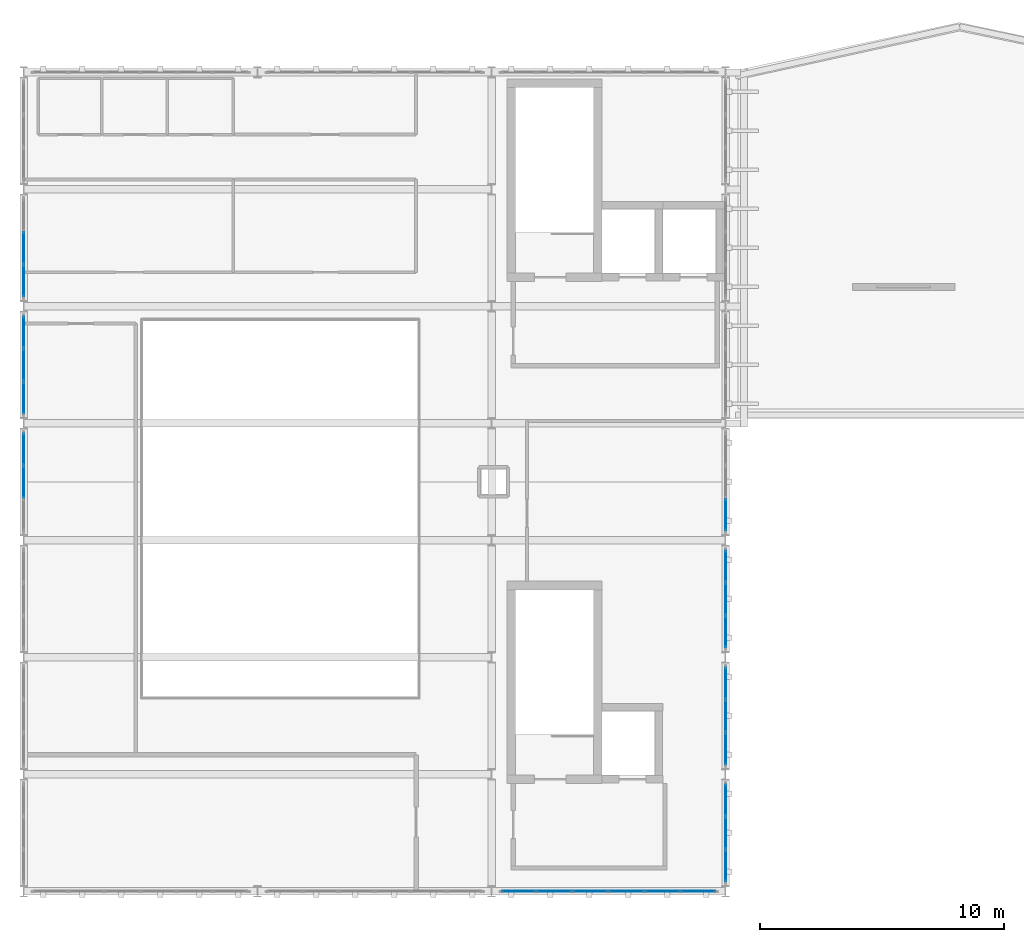
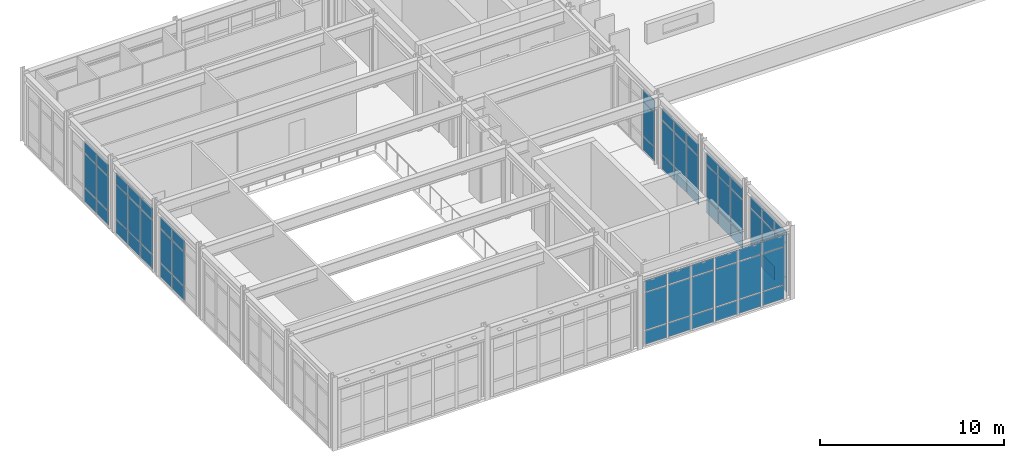
# One storey, part 11 of 16: 69 plates, 8 elements without a shape of their own.
"""IFC4 building model written with IfcOpenShell, lengths in metres."""

from ifc_helpers import new_model, si_unit, direction, frame, origin, origin_2d, place, context, subcontext, project, spatial, rectangle, extrude, material, layer, layer_set, type_object, element, aggregate, save


model = new_model("IFC4")

# Units and contexts
model_context = context("Model", 3, precision=1e-05, world=origin(), true_north=direction((0.0, 1.0)))
body_context = subcontext(model_context, "Body", "Model", "MODEL_VIEW")
ifc_project = project(units=[si_unit("LENGTHUNIT", "METRE"), si_unit("AREAUNIT", "SQUARE_METRE"), si_unit("VOLUMEUNIT", "CUBIC_METRE"), si_unit("PLANEANGLEUNIT", "RADIAN"), si_unit("MASSUNIT", "GRAM", prefix="KILO")], contexts=[model_context])

# Site, building, storey
site_placement = place(None, origin())
site = spatial("IfcSite", under=ifc_project, at=site_placement, CompositionType="ELEMENT")
building_placement = place(site_placement, origin())
building = spatial("IfcBuilding", under=site, at=building_placement, Name="Nordkorset Police Headquarters", CompositionType="ELEMENT")
storey_placement = place(building_placement, frame((0.0, 0.0, 31.14990234375)))
storey = spatial("IfcBuildingStorey", under=building, at=storey_placement, Name="L07", CompositionType="ELEMENT", Elevation=31.14990234375)

# Curtain wall, plates
ifc_material_1 = material(Name="Aluminium alloy AW-6060", Category="aluminium")
ifc_layer_1 = layer(ifc_material_1, 0.179931640625, Name="Aluminium alloy AW-6060")
ifc_layer_set_1 = layer_set([ifc_layer_1], Name="Aluminium alloy AW-6060")
curtain_wall_type_1 = type_object("IfcCurtainWallType", Name="CW_Unit_408x415", PredefinedType="USERDEFINED", material=ifc_layer_set_1)
curtain_wall_1_placement = place(storey_placement, origin())
curtain_wall_1 = element("IfcCurtainWall", 1, at=curtain_wall_1_placement, inside=storey, type_object=curtain_wall_type_1, Name="Unitised Curtain Wall L07 V1W-3", ObjectType="UNITISED CURTAIN WALL", PredefinedType="USERDEFINED")
ifc_material_2 = material(Name="Low-iron triple glazing", Category="glass")
ifc_layer_2 = layer(ifc_material_2, 0.035888671875, Name="Low-iron triple glazing")
ifc_layer_set_2 = layer_set([ifc_layer_2], Name="Low-iron triple glazing")
plate_type = type_object("IfcPlateType", Name="CW_Panel_TripleGlazing_36", PredefinedType="CURTAIN_PANEL", material=ifc_layer_set_2)
plate_1_placement = place(storey_placement, frame((0.0, 100.0, 0.06494140625), z_axis=(0.0, 0.0, 1.0), x_axis=(0.0, 1.0, 0.0)))
plate_1 = element("IfcPlate", 2, at=plate_1_placement, type_object=plate_type, Name="CW-101 panel 2.1", PredefinedType="CURTAIN_PANEL", context=body_context, shape_type="SweptSolid", body=[
    extrude(rectangle(XDim=1.294921875, YDim=0.035888671875, at=origin_2d()), origin(), (0.0, 0.0, 1.0), 0.902587890625),
])
plate_2_placement = place(storey_placement, frame((0.0, 100.0, 1.03271484375), z_axis=(0.0, 0.0, 1.0), x_axis=(0.0, 1.0, 0.0)))
plate_2 = element("IfcPlate", 3, at=plate_2_placement, type_object=plate_type, Name="CW-101 panel 2.2", PredefinedType="CURTAIN_PANEL", context=body_context, shape_type="SweptSolid", body=[
    extrude(rectangle(XDim=1.294921875, YDim=0.035888671875, at=origin_2d()), origin(), (0.0, 0.0, 1.0), 2.235107421875),
])
plate_3_placement = place(storey_placement, frame((0.0, 100.0, 3.33251953125), z_axis=(0.0, 0.0, 1.0), x_axis=(0.0, 1.0, 0.0)))
plate_3 = element("IfcPlate", 4, at=plate_3_placement, type_object=plate_type, Name="CW-101 panel 2.3", PredefinedType="CURTAIN_PANEL", context=body_context, shape_type="SweptSolid", body=[
    extrude(rectangle(XDim=1.294921875, YDim=0.035888671875, at=origin_2d()), origin(), (0.0, 0.0, 1.0), 0.75244140625),
])
plate_4_placement = place(storey_placement, frame((0.0, 101.34375, 0.06494140625), z_axis=(0.0, 0.0, 1.0), x_axis=(0.0, 1.0, 0.0)))
plate_4 = element("IfcPlate", 5, at=plate_4_placement, type_object=plate_type, Name="CW-101 panel 3.1", PredefinedType="CURTAIN_PANEL", context=body_context, shape_type="SweptSolid", body=[
    extrude(rectangle(XDim=1.262451171875, YDim=0.035888671875, at=origin_2d()), origin(), (0.0, 0.0, 1.0), 0.902587890625),
])
plate_5_placement = place(storey_placement, frame((0.0, 101.34375, 1.03271484375), z_axis=(0.0, 0.0, 1.0), x_axis=(0.0, 1.0, 0.0)))
plate_5 = element("IfcPlate", 6, at=plate_5_placement, type_object=plate_type, Name="CW-101 panel 3.2", PredefinedType="CURTAIN_PANEL", context=body_context, shape_type="SweptSolid", body=[
    extrude(rectangle(XDim=1.262451171875, YDim=0.035888671875, at=origin_2d()), origin(), (0.0, 0.0, 1.0), 2.235107421875),
])
plate_6_placement = place(storey_placement, frame((0.0, 101.34375, 3.33251953125), z_axis=(0.0, 0.0, 1.0), x_axis=(0.0, 1.0, 0.0)))
plate_6 = element("IfcPlate", 7, at=plate_6_placement, type_object=plate_type, Name="CW-101 panel 3.3", PredefinedType="CURTAIN_PANEL", context=body_context, shape_type="SweptSolid", body=[
    extrude(rectangle(XDim=1.262451171875, YDim=0.035888671875, at=origin_2d()), origin(), (0.0, 0.0, 1.0), 0.75244140625),
])
aggregate(curtain_wall_1, [plate_1, plate_2, plate_3, plate_4, plate_5, plate_6])

curtain_wall_2_placement = place(storey_placement, origin())
curtain_wall_2 = element("IfcCurtainWall", 8, at=curtain_wall_2_placement, inside=storey, type_object=curtain_wall_type_1, Name="Unitised Curtain Wall L07 V1W-4", ObjectType="UNITISED CURTAIN WALL", PredefinedType="USERDEFINED")
plate_7_placement = place(storey_placement, frame((0.0, 103.456298828125, 0.06494140625), z_axis=(0.0, 0.0, 1.0), x_axis=(0.0, 1.0, 0.0)))
plate_7 = element("IfcPlate", 9, at=plate_7_placement, type_object=plate_type, Name="CW-101 panel 1.1", PredefinedType="CURTAIN_PANEL", context=body_context, shape_type="SweptSolid", body=[
    extrude(rectangle(XDim=1.262451171875, YDim=0.035888671875, at=origin_2d()), origin(), (0.0, 0.0, 1.0), 0.902587890625),
])
plate_8_placement = place(storey_placement, frame((0.0, 103.456298828125, 1.03271484375), z_axis=(0.0, 0.0, 1.0), x_axis=(0.0, 1.0, 0.0)))
plate_8 = element("IfcPlate", 10, at=plate_8_placement, type_object=plate_type, Name="CW-101 panel 1.2", PredefinedType="CURTAIN_PANEL", context=body_context, shape_type="SweptSolid", body=[
    extrude(rectangle(XDim=1.262451171875, YDim=0.035888671875, at=origin_2d()), origin(), (0.0, 0.0, 1.0), 2.235107421875),
])
plate_9_placement = place(storey_placement, frame((0.0, 103.456298828125, 3.33251953125), z_axis=(0.0, 0.0, 1.0), x_axis=(0.0, 1.0, 0.0)))
plate_9 = element("IfcPlate", 11, at=plate_9_placement, type_object=plate_type, Name="CW-101 panel 1.3", PredefinedType="CURTAIN_PANEL", context=body_context, shape_type="SweptSolid", body=[
    extrude(rectangle(XDim=1.262451171875, YDim=0.035888671875, at=origin_2d()), origin(), (0.0, 0.0, 1.0), 0.75244140625),
])
plate_10_placement = place(storey_placement, frame((0.0, 104.800048828125, 0.06494140625), z_axis=(0.0, 0.0, 1.0), x_axis=(0.0, 1.0, 0.0)))
plate_10 = element("IfcPlate", 12, at=plate_10_placement, type_object=plate_type, Name="CW-101 panel 2.1", PredefinedType="CURTAIN_PANEL", context=body_context, shape_type="SweptSolid", body=[
    extrude(rectangle(XDim=1.294921875, YDim=0.035888671875, at=origin_2d()), origin(), (0.0, 0.0, 1.0), 0.902587890625),
])
plate_11_placement = place(storey_placement, frame((0.0, 104.800048828125, 1.03271484375), z_axis=(0.0, 0.0, 1.0), x_axis=(0.0, 1.0, 0.0)))
plate_11 = element("IfcPlate", 13, at=plate_11_placement, type_object=plate_type, Name="CW-101 panel 2.2", PredefinedType="CURTAIN_PANEL", context=body_context, shape_type="SweptSolid", body=[
    extrude(rectangle(XDim=1.294921875, YDim=0.035888671875, at=origin_2d()), origin(), (0.0, 0.0, 1.0), 2.235107421875),
])
plate_12_placement = place(storey_placement, frame((0.0, 104.800048828125, 3.33251953125), z_axis=(0.0, 0.0, 1.0), x_axis=(0.0, 1.0, 0.0)))
plate_12 = element("IfcPlate", 14, at=plate_12_placement, type_object=plate_type, Name="CW-101 panel 2.3", PredefinedType="CURTAIN_PANEL", context=body_context, shape_type="SweptSolid", body=[
    extrude(rectangle(XDim=1.294921875, YDim=0.035888671875, at=origin_2d()), origin(), (0.0, 0.0, 1.0), 0.75244140625),
])
plate_13_placement = place(storey_placement, frame((0.0, 106.143798828125, 0.06494140625), z_axis=(0.0, 0.0, 1.0), x_axis=(0.0, 1.0, 0.0)))
plate_13 = element("IfcPlate", 15, at=plate_13_placement, type_object=plate_type, Name="CW-101 panel 3.1", PredefinedType="CURTAIN_PANEL", context=body_context, shape_type="SweptSolid", body=[
    extrude(rectangle(XDim=1.262451171875, YDim=0.035888671875, at=origin_2d()), origin(), (0.0, 0.0, 1.0), 0.902587890625),
])
plate_14_placement = place(storey_placement, frame((0.0, 106.143798828125, 1.03271484375), z_axis=(0.0, 0.0, 1.0), x_axis=(0.0, 1.0, 0.0)))
plate_14 = element("IfcPlate", 16, at=plate_14_placement, type_object=plate_type, Name="CW-101 panel 3.2", PredefinedType="CURTAIN_PANEL", context=body_context, shape_type="SweptSolid", body=[
    extrude(rectangle(XDim=1.262451171875, YDim=0.035888671875, at=origin_2d()), origin(), (0.0, 0.0, 1.0), 2.235107421875),
])
plate_15_placement = place(storey_placement, frame((0.0, 106.143798828125, 3.33251953125), z_axis=(0.0, 0.0, 1.0), x_axis=(0.0, 1.0, 0.0)))
plate_15 = element("IfcPlate", 17, at=plate_15_placement, type_object=plate_type, Name="CW-101 panel 3.3", PredefinedType="CURTAIN_PANEL", context=body_context, shape_type="SweptSolid", body=[
    extrude(rectangle(XDim=1.262451171875, YDim=0.035888671875, at=origin_2d()), origin(), (0.0, 0.0, 1.0), 0.75244140625),
])
aggregate(curtain_wall_2, [plate_7, plate_8, plate_9, plate_10, plate_11, plate_12, plate_13, plate_14, plate_15])

curtain_wall_3_placement = place(storey_placement, origin())
curtain_wall_3 = element("IfcCurtainWall", 18, at=curtain_wall_3_placement, inside=storey, type_object=curtain_wall_type_1, Name="Unitised Curtain Wall L07 V1W-5", ObjectType="UNITISED CURTAIN WALL", PredefinedType="USERDEFINED")
plate_16_placement = place(storey_placement, frame((0.0, 108.25634765625, 0.06494140625), z_axis=(0.0, 0.0, 1.0), x_axis=(0.0, 1.0, 0.0)))
plate_16 = element("IfcPlate", 19, at=plate_16_placement, type_object=plate_type, Name="CW-101 panel 1.1", PredefinedType="CURTAIN_PANEL", context=body_context, shape_type="SweptSolid", body=[
    extrude(rectangle(XDim=1.262451171875, YDim=0.035888671875, at=origin_2d()), origin(), (0.0, 0.0, 1.0), 0.902587890625),
])
plate_17_placement = place(storey_placement, frame((0.0, 108.25634765625, 1.03271484375), z_axis=(0.0, 0.0, 1.0), x_axis=(0.0, 1.0, 0.0)))
plate_17 = element("IfcPlate", 20, at=plate_17_placement, type_object=plate_type, Name="CW-101 panel 1.2", PredefinedType="CURTAIN_PANEL", context=body_context, shape_type="SweptSolid", body=[
    extrude(rectangle(XDim=1.262451171875, YDim=0.035888671875, at=origin_2d()), origin(), (0.0, 0.0, 1.0), 2.235107421875),
])
plate_18_placement = place(storey_placement, frame((0.0, 108.25634765625, 3.33251953125), z_axis=(0.0, 0.0, 1.0), x_axis=(0.0, 1.0, 0.0)))
plate_18 = element("IfcPlate", 21, at=plate_18_placement, type_object=plate_type, Name="CW-101 panel 1.3", PredefinedType="CURTAIN_PANEL", context=body_context, shape_type="SweptSolid", body=[
    extrude(rectangle(XDim=1.262451171875, YDim=0.035888671875, at=origin_2d()), origin(), (0.0, 0.0, 1.0), 0.75244140625),
])
plate_19_placement = place(storey_placement, frame((0.0, 109.60009765625, 0.06494140625), z_axis=(0.0, 0.0, 1.0), x_axis=(0.0, 1.0, 0.0)))
plate_19 = element("IfcPlate", 22, at=plate_19_placement, type_object=plate_type, Name="CW-101 panel 2.1", PredefinedType="CURTAIN_PANEL", context=body_context, shape_type="SweptSolid", body=[
    extrude(rectangle(XDim=1.294921875, YDim=0.035888671875, at=origin_2d()), origin(), (0.0, 0.0, 1.0), 0.902587890625),
])
plate_20_placement = place(storey_placement, frame((0.0, 109.60009765625, 1.03271484375), z_axis=(0.0, 0.0, 1.0), x_axis=(0.0, 1.0, 0.0)))
plate_20 = element("IfcPlate", 23, at=plate_20_placement, type_object=plate_type, Name="CW-101 panel 2.2", PredefinedType="CURTAIN_PANEL", context=body_context, shape_type="SweptSolid", body=[
    extrude(rectangle(XDim=1.294921875, YDim=0.035888671875, at=origin_2d()), origin(), (0.0, 0.0, 1.0), 2.235107421875),
])
plate_21_placement = place(storey_placement, frame((0.0, 109.60009765625, 3.33251953125), z_axis=(0.0, 0.0, 1.0), x_axis=(0.0, 1.0, 0.0)))
plate_21 = element("IfcPlate", 24, at=plate_21_placement, type_object=plate_type, Name="CW-101 panel 2.3", PredefinedType="CURTAIN_PANEL", context=body_context, shape_type="SweptSolid", body=[
    extrude(rectangle(XDim=1.294921875, YDim=0.035888671875, at=origin_2d()), origin(), (0.0, 0.0, 1.0), 0.75244140625),
])
aggregate(curtain_wall_3, [plate_16, plate_17, plate_18, plate_19, plate_20, plate_21])

curtain_wall_4_placement = place(storey_placement, origin())
curtain_wall_4 = element("IfcCurtainWall", 25, at=curtain_wall_4_placement, inside=storey, type_object=curtain_wall_type_1, Name="Unitised Curtain Wall L07 V1E-0", ObjectType="UNITISED CURTAIN WALL", PredefinedType="USERDEFINED")
plate_22_placement = place(storey_placement, frame((28.800048828125, 84.25634765625, 0.06494140625), z_axis=(0.0, 0.0, 1.0), x_axis=(0.0, 1.0, 0.0)))
plate_22 = element("IfcPlate", 26, at=plate_22_placement, type_object=plate_type, Name="CW-101 panel 1.1", PredefinedType="CURTAIN_PANEL", context=body_context, shape_type="SweptSolid", body=[
    extrude(rectangle(XDim=1.262451171875, YDim=0.035888671875, at=origin_2d()), origin(), (0.0, 0.0, 1.0), 0.902587890625),
])
plate_23_placement = place(storey_placement, frame((28.800048828125, 84.25634765625, 1.03271484375), z_axis=(0.0, 0.0, 1.0), x_axis=(0.0, 1.0, 0.0)))
plate_23 = element("IfcPlate", 27, at=plate_23_placement, type_object=plate_type, Name="CW-101 panel 1.2", PredefinedType="CURTAIN_PANEL", context=body_context, shape_type="SweptSolid", body=[
    extrude(rectangle(XDim=1.262451171875, YDim=0.035888671875, at=origin_2d()), origin(), (0.0, 0.0, 1.0), 2.235107421875),
])
plate_24_placement = place(storey_placement, frame((28.800048828125, 84.25634765625, 3.33251953125), z_axis=(0.0, 0.0, 1.0), x_axis=(0.0, 1.0, 0.0)))
plate_24 = element("IfcPlate", 28, at=plate_24_placement, type_object=plate_type, Name="CW-101 panel 1.3", PredefinedType="CURTAIN_PANEL", context=body_context, shape_type="SweptSolid", body=[
    extrude(rectangle(XDim=1.262451171875, YDim=0.035888671875, at=origin_2d()), origin(), (0.0, 0.0, 1.0), 0.75244140625),
])
plate_25_placement = place(storey_placement, frame((28.800048828125, 85.60009765625, 0.06494140625), z_axis=(0.0, 0.0, 1.0), x_axis=(0.0, 1.0, 0.0)))
plate_25 = element("IfcPlate", 29, at=plate_25_placement, type_object=plate_type, Name="CW-101 panel 2.1", PredefinedType="CURTAIN_PANEL", context=body_context, shape_type="SweptSolid", body=[
    extrude(rectangle(XDim=1.294921875, YDim=0.035888671875, at=origin_2d()), origin(), (0.0, 0.0, 1.0), 0.902587890625),
])
plate_26_placement = place(storey_placement, frame((28.800048828125, 85.60009765625, 1.03271484375), z_axis=(0.0, 0.0, 1.0), x_axis=(0.0, 1.0, 0.0)))
plate_26 = element("IfcPlate", 30, at=plate_26_placement, type_object=plate_type, Name="CW-101 panel 2.2", PredefinedType="CURTAIN_PANEL", context=body_context, shape_type="SweptSolid", body=[
    extrude(rectangle(XDim=1.294921875, YDim=0.035888671875, at=origin_2d()), origin(), (0.0, 0.0, 1.0), 2.235107421875),
])
plate_27_placement = place(storey_placement, frame((28.800048828125, 85.60009765625, 3.33251953125), z_axis=(0.0, 0.0, 1.0), x_axis=(0.0, 1.0, 0.0)))
plate_27 = element("IfcPlate", 31, at=plate_27_placement, type_object=plate_type, Name="CW-101 panel 2.3", PredefinedType="CURTAIN_PANEL", context=body_context, shape_type="SweptSolid", body=[
    extrude(rectangle(XDim=1.294921875, YDim=0.035888671875, at=origin_2d()), origin(), (0.0, 0.0, 1.0), 0.75244140625),
])
plate_28_placement = place(storey_placement, frame((28.800048828125, 86.94384765625, 0.06494140625), z_axis=(0.0, 0.0, 1.0), x_axis=(0.0, 1.0, 0.0)))
plate_28 = element("IfcPlate", 32, at=plate_28_placement, type_object=plate_type, Name="CW-101 panel 3.1", PredefinedType="CURTAIN_PANEL", context=body_context, shape_type="SweptSolid", body=[
    extrude(rectangle(XDim=1.262451171875, YDim=0.035888671875, at=origin_2d()), origin(), (0.0, 0.0, 1.0), 0.902587890625),
])
plate_29_placement = place(storey_placement, frame((28.800048828125, 86.94384765625, 1.03271484375), z_axis=(0.0, 0.0, 1.0), x_axis=(0.0, 1.0, 0.0)))
plate_29 = element("IfcPlate", 33, at=plate_29_placement, type_object=plate_type, Name="CW-101 panel 3.2", PredefinedType="CURTAIN_PANEL", context=body_context, shape_type="SweptSolid", body=[
    extrude(rectangle(XDim=1.262451171875, YDim=0.035888671875, at=origin_2d()), origin(), (0.0, 0.0, 1.0), 2.235107421875),
])
plate_30_placement = place(storey_placement, frame((28.800048828125, 86.94384765625, 3.33251953125), z_axis=(0.0, 0.0, 1.0), x_axis=(0.0, 1.0, 0.0)))
plate_30 = element("IfcPlate", 34, at=plate_30_placement, type_object=plate_type, Name="CW-101 panel 3.3", PredefinedType="CURTAIN_PANEL", context=body_context, shape_type="SweptSolid", body=[
    extrude(rectangle(XDim=1.262451171875, YDim=0.035888671875, at=origin_2d()), origin(), (0.0, 0.0, 1.0), 0.75244140625),
])
aggregate(curtain_wall_4, [plate_22, plate_23, plate_24, plate_25, plate_26, plate_27, plate_28, plate_29, plate_30])

curtain_wall_5_placement = place(storey_placement, origin())
curtain_wall_5 = element("IfcCurtainWall", 35, at=curtain_wall_5_placement, inside=storey, type_object=curtain_wall_type_1, Name="Unitised Curtain Wall L07 V1E-1", ObjectType="UNITISED CURTAIN WALL", PredefinedType="USERDEFINED")
plate_31_placement = place(storey_placement, frame((28.800048828125, 89.05615234375, 0.06494140625), z_axis=(0.0, 0.0, 1.0), x_axis=(0.0, 1.0, 0.0)))
plate_31 = element("IfcPlate", 36, at=plate_31_placement, type_object=plate_type, Name="CW-101 panel 1.1", PredefinedType="CURTAIN_PANEL", context=body_context, shape_type="SweptSolid", body=[
    extrude(rectangle(XDim=1.262451171875, YDim=0.035888671875, at=origin_2d()), origin(), (0.0, 0.0, 1.0), 0.902587890625),
])
plate_32_placement = place(storey_placement, frame((28.800048828125, 89.05615234375, 1.03271484375), z_axis=(0.0, 0.0, 1.0), x_axis=(0.0, 1.0, 0.0)))
plate_32 = element("IfcPlate", 37, at=plate_32_placement, type_object=plate_type, Name="CW-101 panel 1.2", PredefinedType="CURTAIN_PANEL", context=body_context, shape_type="SweptSolid", body=[
    extrude(rectangle(XDim=1.262451171875, YDim=0.035888671875, at=origin_2d()), origin(), (0.0, 0.0, 1.0), 2.235107421875),
])
plate_33_placement = place(storey_placement, frame((28.800048828125, 89.05615234375, 3.33251953125), z_axis=(0.0, 0.0, 1.0), x_axis=(0.0, 1.0, 0.0)))
plate_33 = element("IfcPlate", 38, at=plate_33_placement, type_object=plate_type, Name="CW-101 panel 1.3", PredefinedType="CURTAIN_PANEL", context=body_context, shape_type="SweptSolid", body=[
    extrude(rectangle(XDim=1.262451171875, YDim=0.035888671875, at=origin_2d()), origin(), (0.0, 0.0, 1.0), 0.75244140625),
])
plate_34_placement = place(storey_placement, frame((28.800048828125, 90.39990234375, 0.06494140625), z_axis=(0.0, 0.0, 1.0), x_axis=(0.0, 1.0, 0.0)))
plate_34 = element("IfcPlate", 39, at=plate_34_placement, type_object=plate_type, Name="CW-101 panel 2.1", PredefinedType="CURTAIN_PANEL", context=body_context, shape_type="SweptSolid", body=[
    extrude(rectangle(XDim=1.294921875, YDim=0.035888671875, at=origin_2d()), origin(), (0.0, 0.0, 1.0), 0.902587890625),
])
plate_35_placement = place(storey_placement, frame((28.800048828125, 90.39990234375, 1.03271484375), z_axis=(0.0, 0.0, 1.0), x_axis=(0.0, 1.0, 0.0)))
plate_35 = element("IfcPlate", 40, at=plate_35_placement, type_object=plate_type, Name="CW-101 panel 2.2", PredefinedType="CURTAIN_PANEL", context=body_context, shape_type="SweptSolid", body=[
    extrude(rectangle(XDim=1.294921875, YDim=0.035888671875, at=origin_2d()), origin(), (0.0, 0.0, 1.0), 2.235107421875),
])
plate_36_placement = place(storey_placement, frame((28.800048828125, 90.39990234375, 3.33251953125), z_axis=(0.0, 0.0, 1.0), x_axis=(0.0, 1.0, 0.0)))
plate_36 = element("IfcPlate", 41, at=plate_36_placement, type_object=plate_type, Name="CW-101 panel 2.3", PredefinedType="CURTAIN_PANEL", context=body_context, shape_type="SweptSolid", body=[
    extrude(rectangle(XDim=1.294921875, YDim=0.035888671875, at=origin_2d()), origin(), (0.0, 0.0, 1.0), 0.75244140625),
])
plate_37_placement = place(storey_placement, frame((28.800048828125, 91.74365234375, 0.06494140625), z_axis=(0.0, 0.0, 1.0), x_axis=(0.0, 1.0, 0.0)))
plate_37 = element("IfcPlate", 42, at=plate_37_placement, type_object=plate_type, Name="CW-101 panel 3.1", PredefinedType="CURTAIN_PANEL", context=body_context, shape_type="SweptSolid", body=[
    extrude(rectangle(XDim=1.262451171875, YDim=0.035888671875, at=origin_2d()), origin(), (0.0, 0.0, 1.0), 0.902587890625),
])
plate_38_placement = place(storey_placement, frame((28.800048828125, 91.74365234375, 1.03271484375), z_axis=(0.0, 0.0, 1.0), x_axis=(0.0, 1.0, 0.0)))
plate_38 = element("IfcPlate", 43, at=plate_38_placement, type_object=plate_type, Name="CW-101 panel 3.2", PredefinedType="CURTAIN_PANEL", context=body_context, shape_type="SweptSolid", body=[
    extrude(rectangle(XDim=1.262451171875, YDim=0.035888671875, at=origin_2d()), origin(), (0.0, 0.0, 1.0), 2.235107421875),
])
plate_39_placement = place(storey_placement, frame((28.800048828125, 91.74365234375, 3.33251953125), z_axis=(0.0, 0.0, 1.0), x_axis=(0.0, 1.0, 0.0)))
plate_39 = element("IfcPlate", 44, at=plate_39_placement, type_object=plate_type, Name="CW-101 panel 3.3", PredefinedType="CURTAIN_PANEL", context=body_context, shape_type="SweptSolid", body=[
    extrude(rectangle(XDim=1.262451171875, YDim=0.035888671875, at=origin_2d()), origin(), (0.0, 0.0, 1.0), 0.75244140625),
])
aggregate(curtain_wall_5, [plate_31, plate_32, plate_33, plate_34, plate_35, plate_36, plate_37, plate_38, plate_39])

curtain_wall_6_placement = place(storey_placement, origin())
curtain_wall_6 = element("IfcCurtainWall", 45, at=curtain_wall_6_placement, inside=storey, type_object=curtain_wall_type_1, Name="Unitised Curtain Wall L07 V1E-2", ObjectType="UNITISED CURTAIN WALL", PredefinedType="USERDEFINED")
plate_40_placement = place(storey_placement, frame((28.800048828125, 93.856201171875, 0.06494140625), z_axis=(0.0, 0.0, 1.0), x_axis=(0.0, 1.0, 0.0)))
plate_40 = element("IfcPlate", 46, at=plate_40_placement, type_object=plate_type, Name="CW-101 panel 1.1", PredefinedType="CURTAIN_PANEL", context=body_context, shape_type="SweptSolid", body=[
    extrude(rectangle(XDim=1.262451171875, YDim=0.035888671875, at=origin_2d()), origin(), (0.0, 0.0, 1.0), 0.902587890625),
])
plate_41_placement = place(storey_placement, frame((28.800048828125, 93.856201171875, 1.03271484375), z_axis=(0.0, 0.0, 1.0), x_axis=(0.0, 1.0, 0.0)))
plate_41 = element("IfcPlate", 47, at=plate_41_placement, type_object=plate_type, Name="CW-101 panel 1.2", PredefinedType="CURTAIN_PANEL", context=body_context, shape_type="SweptSolid", body=[
    extrude(rectangle(XDim=1.262451171875, YDim=0.035888671875, at=origin_2d()), origin(), (0.0, 0.0, 1.0), 2.235107421875),
])
plate_42_placement = place(storey_placement, frame((28.800048828125, 93.856201171875, 3.33251953125), z_axis=(0.0, 0.0, 1.0), x_axis=(0.0, 1.0, 0.0)))
plate_42 = element("IfcPlate", 48, at=plate_42_placement, type_object=plate_type, Name="CW-101 panel 1.3", PredefinedType="CURTAIN_PANEL", context=body_context, shape_type="SweptSolid", body=[
    extrude(rectangle(XDim=1.262451171875, YDim=0.035888671875, at=origin_2d()), origin(), (0.0, 0.0, 1.0), 0.75244140625),
])
plate_43_placement = place(storey_placement, frame((28.800048828125, 95.199951171875, 0.06494140625), z_axis=(0.0, 0.0, 1.0), x_axis=(0.0, 1.0, 0.0)))
plate_43 = element("IfcPlate", 49, at=plate_43_placement, type_object=plate_type, Name="CW-101 panel 2.1", PredefinedType="CURTAIN_PANEL", context=body_context, shape_type="SweptSolid", body=[
    extrude(rectangle(XDim=1.294921875, YDim=0.035888671875, at=origin_2d()), origin(), (0.0, 0.0, 1.0), 0.902587890625),
])
plate_44_placement = place(storey_placement, frame((28.800048828125, 95.199951171875, 1.03271484375), z_axis=(0.0, 0.0, 1.0), x_axis=(0.0, 1.0, 0.0)))
plate_44 = element("IfcPlate", 50, at=plate_44_placement, type_object=plate_type, Name="CW-101 panel 2.2", PredefinedType="CURTAIN_PANEL", context=body_context, shape_type="SweptSolid", body=[
    extrude(rectangle(XDim=1.294921875, YDim=0.035888671875, at=origin_2d()), origin(), (0.0, 0.0, 1.0), 2.235107421875),
])
plate_45_placement = place(storey_placement, frame((28.800048828125, 95.199951171875, 3.33251953125), z_axis=(0.0, 0.0, 1.0), x_axis=(0.0, 1.0, 0.0)))
plate_45 = element("IfcPlate", 51, at=plate_45_placement, type_object=plate_type, Name="CW-101 panel 2.3", PredefinedType="CURTAIN_PANEL", context=body_context, shape_type="SweptSolid", body=[
    extrude(rectangle(XDim=1.294921875, YDim=0.035888671875, at=origin_2d()), origin(), (0.0, 0.0, 1.0), 0.75244140625),
])
plate_46_placement = place(storey_placement, frame((28.800048828125, 96.543701171875, 0.06494140625), z_axis=(0.0, 0.0, 1.0), x_axis=(0.0, 1.0, 0.0)))
plate_46 = element("IfcPlate", 52, at=plate_46_placement, type_object=plate_type, Name="CW-101 panel 3.1", PredefinedType="CURTAIN_PANEL", context=body_context, shape_type="SweptSolid", body=[
    extrude(rectangle(XDim=1.262451171875, YDim=0.035888671875, at=origin_2d()), origin(), (0.0, 0.0, 1.0), 0.902587890625),
])
plate_47_placement = place(storey_placement, frame((28.800048828125, 96.543701171875, 1.03271484375), z_axis=(0.0, 0.0, 1.0), x_axis=(0.0, 1.0, 0.0)))
plate_47 = element("IfcPlate", 53, at=plate_47_placement, type_object=plate_type, Name="CW-101 panel 3.2", PredefinedType="CURTAIN_PANEL", context=body_context, shape_type="SweptSolid", body=[
    extrude(rectangle(XDim=1.262451171875, YDim=0.035888671875, at=origin_2d()), origin(), (0.0, 0.0, 1.0), 2.235107421875),
])
plate_48_placement = place(storey_placement, frame((28.800048828125, 96.543701171875, 3.33251953125), z_axis=(0.0, 0.0, 1.0), x_axis=(0.0, 1.0, 0.0)))
plate_48 = element("IfcPlate", 54, at=plate_48_placement, type_object=plate_type, Name="CW-101 panel 3.3", PredefinedType="CURTAIN_PANEL", context=body_context, shape_type="SweptSolid", body=[
    extrude(rectangle(XDim=1.262451171875, YDim=0.035888671875, at=origin_2d()), origin(), (0.0, 0.0, 1.0), 0.75244140625),
])
aggregate(curtain_wall_6, [plate_40, plate_41, plate_42, plate_43, plate_44, plate_45, plate_46, plate_47, plate_48])

curtain_wall_7_placement = place(storey_placement, origin())
curtain_wall_7 = element("IfcCurtainWall", 55, at=curtain_wall_7_placement, inside=storey, type_object=curtain_wall_type_1, Name="Unitised Curtain Wall L07 V1E-3", ObjectType="UNITISED CURTAIN WALL", PredefinedType="USERDEFINED")
plate_49_placement = place(storey_placement, frame((28.800048828125, 98.65625, 0.06494140625), z_axis=(0.0, 0.0, 1.0), x_axis=(0.0, 1.0, 0.0)))
plate_49 = element("IfcPlate", 56, at=plate_49_placement, type_object=plate_type, Name="CW-101 panel 1.1", PredefinedType="CURTAIN_PANEL", context=body_context, shape_type="SweptSolid", body=[
    extrude(rectangle(XDim=1.262451171875, YDim=0.035888671875, at=origin_2d()), origin(), (0.0, 0.0, 1.0), 0.902587890625),
])
plate_50_placement = place(storey_placement, frame((28.800048828125, 98.65625, 1.03271484375), z_axis=(0.0, 0.0, 1.0), x_axis=(0.0, 1.0, 0.0)))
plate_50 = element("IfcPlate", 57, at=plate_50_placement, type_object=plate_type, Name="CW-101 panel 1.2", PredefinedType="CURTAIN_PANEL", context=body_context, shape_type="SweptSolid", body=[
    extrude(rectangle(XDim=1.262451171875, YDim=0.035888671875, at=origin_2d()), origin(), (0.0, 0.0, 1.0), 2.235107421875),
])
plate_51_placement = place(storey_placement, frame((28.800048828125, 98.65625, 3.33251953125), z_axis=(0.0, 0.0, 1.0), x_axis=(0.0, 1.0, 0.0)))
plate_51 = element("IfcPlate", 58, at=plate_51_placement, type_object=plate_type, Name="CW-101 panel 1.3", PredefinedType="CURTAIN_PANEL", context=body_context, shape_type="SweptSolid", body=[
    extrude(rectangle(XDim=1.262451171875, YDim=0.035888671875, at=origin_2d()), origin(), (0.0, 0.0, 1.0), 0.75244140625),
])
aggregate(curtain_wall_7, [plate_49, plate_50, plate_51])

ifc_material_3 = material(Name="Aluminium alloy AW-6060", Category="aluminium")
ifc_layer_3 = layer(ifc_material_3, 0.179931640625, Name="Aluminium alloy AW-6060")
ifc_layer_set_3 = layer_set([ifc_layer_3], Name="Aluminium alloy AW-6060")
curtain_wall_type_2 = type_object("IfcCurtainWallType", Name="CW_Unit_888x438", PredefinedType="USERDEFINED", material=ifc_layer_set_3)
curtain_wall_8_placement = place(storey_placement, origin())
curtain_wall_8 = element("IfcCurtainWall", 59, at=curtain_wall_8_placement, inside=storey, type_object=curtain_wall_type_2, Name="Unitised Curtain Wall L07 V1S-2", ObjectType="UNITISED CURTAIN WALL", PredefinedType="USERDEFINED")
plate_52_placement = place(storey_placement, frame((20.316162109375, 83.199951171875, 0.06494140625), z_axis=(0.0, 0.0, 1.0), x_axis=(1.0, 0.0, 0.0)))
plate_52 = element("IfcPlate", 60, at=plate_52_placement, type_object=plate_type, Name="CW-102 panel 1.1", PredefinedType="CURTAIN_PANEL", context=body_context, shape_type="SweptSolid", body=[
    extrude(rectangle(XDim=1.382568359375, YDim=0.035888671875, at=origin_2d()), origin(), (0.0, 0.0, 1.0), 0.902587890625),
])
plate_53_placement = place(storey_placement, frame((20.316162109375, 83.199951171875, 1.03271484375), z_axis=(0.0, 0.0, 1.0), x_axis=(1.0, 0.0, 0.0)))
plate_53 = element("IfcPlate", 61, at=plate_53_placement, type_object=plate_type, Name="CW-102 panel 1.2", PredefinedType="CURTAIN_PANEL", context=body_context, shape_type="SweptSolid", body=[
    extrude(rectangle(XDim=1.382568359375, YDim=0.035888671875, at=origin_2d()), origin(), (0.0, 0.0, 1.0), 2.465087890625),
])
plate_54_placement = place(storey_placement, frame((20.316162109375, 83.199951171875, 3.562744140625), z_axis=(0.0, 0.0, 1.0), x_axis=(1.0, 0.0, 0.0)))
plate_54 = element("IfcPlate", 62, at=plate_54_placement, type_object=plate_type, Name="CW-102 panel 1.3", PredefinedType="CURTAIN_PANEL", context=body_context, shape_type="SweptSolid", body=[
    extrude(rectangle(XDim=1.382568359375, YDim=0.035888671875, at=origin_2d()), origin(), (0.0, 0.0, 1.0), 0.75244140625),
])
plate_55_placement = place(storey_placement, frame((21.780029296875, 83.199951171875, 0.06494140625), z_axis=(0.0, 0.0, 1.0), x_axis=(1.0, 0.0, 0.0)))
plate_55 = element("IfcPlate", 63, at=plate_55_placement, type_object=plate_type, Name="CW-102 panel 2.1", PredefinedType="CURTAIN_PANEL", context=body_context, shape_type="SweptSolid", body=[
    extrude(rectangle(XDim=1.4150390625, YDim=0.035888671875, at=origin_2d()), origin(), (0.0, 0.0, 1.0), 0.902587890625),
])
plate_56_placement = place(storey_placement, frame((21.780029296875, 83.199951171875, 1.03271484375), z_axis=(0.0, 0.0, 1.0), x_axis=(1.0, 0.0, 0.0)))
plate_56 = element("IfcPlate", 64, at=plate_56_placement, type_object=plate_type, Name="CW-102 panel 2.2", PredefinedType="CURTAIN_PANEL", context=body_context, shape_type="SweptSolid", body=[
    extrude(rectangle(XDim=1.4150390625, YDim=0.035888671875, at=origin_2d()), origin(), (0.0, 0.0, 1.0), 2.465087890625),
])
plate_57_placement = place(storey_placement, frame((21.780029296875, 83.199951171875, 3.562744140625), z_axis=(0.0, 0.0, 1.0), x_axis=(1.0, 0.0, 0.0)))
plate_57 = element("IfcPlate", 65, at=plate_57_placement, type_object=plate_type, Name="CW-102 panel 2.3", PredefinedType="CURTAIN_PANEL", context=body_context, shape_type="SweptSolid", body=[
    extrude(rectangle(XDim=1.4150390625, YDim=0.035888671875, at=origin_2d()), origin(), (0.0, 0.0, 1.0), 0.75244140625),
])
plate_58_placement = place(storey_placement, frame((23.260009765625, 83.199951171875, 0.06494140625), z_axis=(0.0, 0.0, 1.0), x_axis=(1.0, 0.0, 0.0)))
plate_58 = element("IfcPlate", 66, at=plate_58_placement, type_object=plate_type, Name="CW-102 panel 3.1", PredefinedType="CURTAIN_PANEL", context=body_context, shape_type="SweptSolid", body=[
    extrude(rectangle(XDim=1.4150390625, YDim=0.035888671875, at=origin_2d()), origin(), (0.0, 0.0, 1.0), 0.902587890625),
])
plate_59_placement = place(storey_placement, frame((23.260009765625, 83.199951171875, 1.03271484375), z_axis=(0.0, 0.0, 1.0), x_axis=(1.0, 0.0, 0.0)))
plate_59 = element("IfcPlate", 67, at=plate_59_placement, type_object=plate_type, Name="CW-102 panel 3.2", PredefinedType="CURTAIN_PANEL", context=body_context, shape_type="SweptSolid", body=[
    extrude(rectangle(XDim=1.4150390625, YDim=0.035888671875, at=origin_2d()), origin(), (0.0, 0.0, 1.0), 2.465087890625),
])
plate_60_placement = place(storey_placement, frame((23.260009765625, 83.199951171875, 3.562744140625), z_axis=(0.0, 0.0, 1.0), x_axis=(1.0, 0.0, 0.0)))
plate_60 = element("IfcPlate", 68, at=plate_60_placement, type_object=plate_type, Name="CW-102 panel 3.3", PredefinedType="CURTAIN_PANEL", context=body_context, shape_type="SweptSolid", body=[
    extrude(rectangle(XDim=1.4150390625, YDim=0.035888671875, at=origin_2d()), origin(), (0.0, 0.0, 1.0), 0.75244140625),
])
plate_61_placement = place(storey_placement, frame((24.739990234375, 83.199951171875, 0.06494140625), z_axis=(0.0, 0.0, 1.0), x_axis=(1.0, 0.0, 0.0)))
plate_61 = element("IfcPlate", 69, at=plate_61_placement, type_object=plate_type, Name="CW-102 panel 4.1", PredefinedType="CURTAIN_PANEL", context=body_context, shape_type="SweptSolid", body=[
    extrude(rectangle(XDim=1.4150390625, YDim=0.035888671875, at=origin_2d()), origin(), (0.0, 0.0, 1.0), 0.902587890625),
])
plate_62_placement = place(storey_placement, frame((24.739990234375, 83.199951171875, 1.03271484375), z_axis=(0.0, 0.0, 1.0), x_axis=(1.0, 0.0, 0.0)))
plate_62 = element("IfcPlate", 70, at=plate_62_placement, type_object=plate_type, Name="CW-102 panel 4.2", PredefinedType="CURTAIN_PANEL", context=body_context, shape_type="SweptSolid", body=[
    extrude(rectangle(XDim=1.4150390625, YDim=0.035888671875, at=origin_2d()), origin(), (0.0, 0.0, 1.0), 2.465087890625),
])
plate_63_placement = place(storey_placement, frame((24.739990234375, 83.199951171875, 3.562744140625), z_axis=(0.0, 0.0, 1.0), x_axis=(1.0, 0.0, 0.0)))
plate_63 = element("IfcPlate", 71, at=plate_63_placement, type_object=plate_type, Name="CW-102 panel 4.3", PredefinedType="CURTAIN_PANEL", context=body_context, shape_type="SweptSolid", body=[
    extrude(rectangle(XDim=1.4150390625, YDim=0.035888671875, at=origin_2d()), origin(), (0.0, 0.0, 1.0), 0.75244140625),
])
plate_64_placement = place(storey_placement, frame((26.219970703125, 83.199951171875, 0.06494140625), z_axis=(0.0, 0.0, 1.0), x_axis=(1.0, 0.0, 0.0)))
plate_64 = element("IfcPlate", 72, at=plate_64_placement, type_object=plate_type, Name="CW-102 panel 5.1", PredefinedType="CURTAIN_PANEL", context=body_context, shape_type="SweptSolid", body=[
    extrude(rectangle(XDim=1.4150390625, YDim=0.035888671875, at=origin_2d()), origin(), (0.0, 0.0, 1.0), 0.902587890625),
])
plate_65_placement = place(storey_placement, frame((26.219970703125, 83.199951171875, 1.03271484375), z_axis=(0.0, 0.0, 1.0), x_axis=(1.0, 0.0, 0.0)))
plate_65 = element("IfcPlate", 73, at=plate_65_placement, type_object=plate_type, Name="CW-102 panel 5.2", PredefinedType="CURTAIN_PANEL", context=body_context, shape_type="SweptSolid", body=[
    extrude(rectangle(XDim=1.4150390625, YDim=0.035888671875, at=origin_2d()), origin(), (0.0, 0.0, 1.0), 2.465087890625),
])
plate_66_placement = place(storey_placement, frame((26.219970703125, 83.199951171875, 3.562744140625), z_axis=(0.0, 0.0, 1.0), x_axis=(1.0, 0.0, 0.0)))
plate_66 = element("IfcPlate", 74, at=plate_66_placement, type_object=plate_type, Name="CW-102 panel 5.3", PredefinedType="CURTAIN_PANEL", context=body_context, shape_type="SweptSolid", body=[
    extrude(rectangle(XDim=1.4150390625, YDim=0.035888671875, at=origin_2d()), origin(), (0.0, 0.0, 1.0), 0.75244140625),
])
plate_67_placement = place(storey_placement, frame((27.683837890625, 83.199951171875, 0.06494140625), z_axis=(0.0, 0.0, 1.0), x_axis=(1.0, 0.0, 0.0)))
plate_67 = element("IfcPlate", 75, at=plate_67_placement, type_object=plate_type, Name="CW-102 panel 6.1", PredefinedType="CURTAIN_PANEL", context=body_context, shape_type="SweptSolid", body=[
    extrude(rectangle(XDim=1.382568359375, YDim=0.035888671875, at=origin_2d()), origin(), (0.0, 0.0, 1.0), 0.902587890625),
])
plate_68_placement = place(storey_placement, frame((27.683837890625, 83.199951171875, 1.03271484375), z_axis=(0.0, 0.0, 1.0), x_axis=(1.0, 0.0, 0.0)))
plate_68 = element("IfcPlate", 76, at=plate_68_placement, type_object=plate_type, Name="CW-102 panel 6.2", PredefinedType="CURTAIN_PANEL", context=body_context, shape_type="SweptSolid", body=[
    extrude(rectangle(XDim=1.382568359375, YDim=0.035888671875, at=origin_2d()), origin(), (0.0, 0.0, 1.0), 2.465087890625),
])
plate_69_placement = place(storey_placement, frame((27.683837890625, 83.199951171875, 3.562744140625), z_axis=(0.0, 0.0, 1.0), x_axis=(1.0, 0.0, 0.0)))
plate_69 = element("IfcPlate", 77, at=plate_69_placement, type_object=plate_type, Name="CW-102 panel 6.3", PredefinedType="CURTAIN_PANEL", context=body_context, shape_type="SweptSolid", body=[
    extrude(rectangle(XDim=1.382568359375, YDim=0.035888671875, at=origin_2d()), origin(), (0.0, 0.0, 1.0), 0.75244140625),
])
aggregate(curtain_wall_8, [plate_52, plate_53, plate_54, plate_55, plate_56, plate_57, plate_58, plate_59, plate_60, plate_61, plate_62, plate_63, plate_64, plate_65, plate_66, plate_67, plate_68, plate_69])

save(model, "model.ifc")
